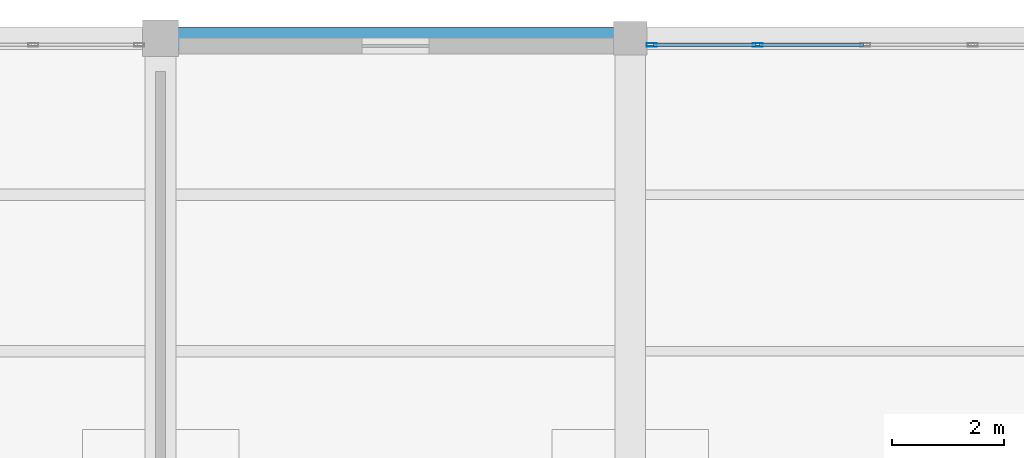
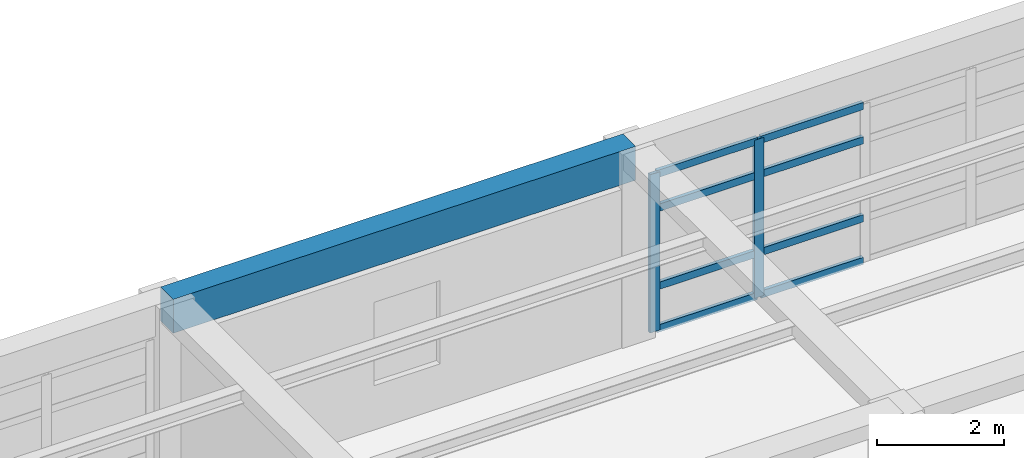
# One storey, part 18 of 25: 10 members, 1 beam, 1 element without a shape of its own.
"""IFC4 building model written with IfcOpenShell, lengths in metres."""

import ifcopenshell
import ifcopenshell.guid

model = None  # the IFC model being written
_history = None  # IfcOwnerHistory: only IFC2X3 demands one
_inside = {}  # id of a spatial element -> (the spatial element, [elements in it])
_under = {}  # id of a project, library or spatial element -> (it, [spatial elements below it])
_declared = {}  # id of a project -> (the project, [libraries it declares])
_typed = {}  # id of a type object -> (the type object, [elements of that type])
_made_of = {}  # id of a material, layer set ... -> (it, [elements and type objects made of it])


def new_model(schema):
    """Start an empty IFC model of exactly this schema.

    Asked for "IFC4X3", IfcOpenShell would pick the latest addendum, in which some entities
    have other attributes; the version numbers below select the first issue.
    IFC2X3 requires an IfcOwnerHistory on every rooted entity: one is made here for all.
    """
    global model, _history
    if schema == "IFC4X3":
        model = ifcopenshell.file(schema_version=(4, 3, 0, 0))
    else:
        model = ifcopenshell.file(schema=schema)
    _inside.clear()
    _under.clear()
    _declared.clear()
    _typed.clear()
    _made_of.clear()
    _history = None
    if model.schema == "IFC2X3":
        org = make("IfcOrganization", Name="unknown")
        user = make(
            "IfcPersonAndOrganization",
            ThePerson=make("IfcPerson", FamilyName="unknown"),
            TheOrganization=org,
        )
        app = make(
            "IfcApplication",
            ApplicationDeveloper=org,
            Version="unknown",
            ApplicationFullName="unknown",
            ApplicationIdentifier="unknown",
        )
        _history = make(
            "IfcOwnerHistory",
            OwningUser=user,
            OwningApplication=app,
            ChangeAction="ADDED",
            CreationDate=0,
        )
    return model


def make(cls, **values):
    """One entity of the class cls with the attributes given. An attribute that is None is left unset."""
    return model.create_entity(
        cls, **{name: value for name, value in values.items() if value is not None}
    )


def rooted(cls, **values):
    """An entity with a GlobalId (a new one), such as an element, a storey or a relation."""
    return make(cls, GlobalId=ifcopenshell.guid.new(), OwnerHistory=_history, **values)


def si_unit(unit_type, name, prefix=None):
    """IfcSIUnit, for example si_unit("LENGTHUNIT", "METRE", prefix="MILLI")."""
    return make("IfcSIUnit", UnitType=unit_type, Prefix=prefix, Name=name)


def assignment(units):
    """IfcUnitAssignment: the units of a project."""
    return None if units is None else make("IfcUnitAssignment", Units=units)


def point(xyz):
    """IfcCartesianPoint."""
    return None if xyz is None else make("IfcCartesianPoint", Coordinates=xyz)


def direction(xyz):
    """IfcDirection."""
    return None if xyz is None else make("IfcDirection", DirectionRatios=xyz)


def frame(location, z_axis=None, x_axis=None):
    """IfcAxis2Placement3D, a coordinate frame: its origin and axes. An axis left out is left unset."""
    return make(
        "IfcAxis2Placement3D",
        Location=point(location),
        Axis=direction(z_axis),
        RefDirection=direction(x_axis),
    )


def frame_2d(location, x_axis=None):
    """IfcAxis2Placement2D, a coordinate frame in the plane: its origin and x axis."""
    return make(
        "IfcAxis2Placement2D", Location=point(location), RefDirection=direction(x_axis)
    )


def origin():
    """The frame at (0, 0, 0) with its axes left unset."""
    return frame((0.0, 0.0, 0.0))


def origin_2d():
    """The frame at (0, 0) in the plane with its x axis left unset."""
    return frame_2d((0.0, 0.0))


def place(relative_to, where):
    """IfcLocalPlacement: puts the frame where relative to a parent placement (None: the world)."""
    return make(
        "IfcLocalPlacement", PlacementRelTo=relative_to, RelativePlacement=where
    )


def context(
    kind, dimensions, precision=None, world=None, true_north=None, identifier=None
):
    """IfcGeometricRepresentationContext, for example the 3D "Model" context."""
    return make(
        "IfcGeometricRepresentationContext",
        ContextIdentifier=identifier,
        ContextType=kind,
        CoordinateSpaceDimension=dimensions,
        Precision=precision,
        WorldCoordinateSystem=world,
        TrueNorth=true_north,
    )


def subcontext(parent, identifier, kind, view, scale=None):
    """IfcGeometricRepresentationSubContext, for example "Body" below "Model"."""
    return make(
        "IfcGeometricRepresentationSubContext",
        ContextIdentifier=identifier,
        ContextType=kind,
        ParentContext=parent,
        TargetScale=scale,
        TargetView=view,
    )


def project(units=None, contexts=None):
    """IfcProject with its units and contexts."""
    return rooted(
        "IfcProject",
        Name="project",
        RepresentationContexts=contexts,
        UnitsInContext=assignment(units),
    )


def spatial(cls, under=None, at=None, **own):
    """A site, building, storey or space (cls), placed at a placement, below another one or the project."""
    s = rooted(cls, ObjectPlacement=at, **own)
    if under is not None:
        _under.setdefault(under.id(), (under, []))[1].append(s)
    return s


def profile(cls, at=None, kind="AREA", **sizes):
    """A parametric profile (cls). Its sizes go by their IFC names, for example OverallWidth=200.0."""
    return make(cls, ProfileType=kind, Position=at, **sizes)


def rectangle(**sizes):
    """IfcRectangleProfileDef."""
    return profile("IfcRectangleProfileDef", **sizes)


def hollow_rectangle(**sizes):
    """IfcRectangleHollowProfileDef."""
    return profile("IfcRectangleHollowProfileDef", **sizes)


def extrude(swept, where, along, depth):
    """IfcExtrudedAreaSolid: the profile swept, set in the frame where, extruded along a direction by depth."""
    return make(
        "IfcExtrudedAreaSolid",
        SweptArea=swept,
        Position=where,
        ExtrudedDirection=direction(along),
        Depth=depth,
    )


def shape(context_of_items, identifier, shape_type, items):
    """IfcShapeRepresentation: the items that make up one representation, for example the "Body"."""
    return make(
        "IfcShapeRepresentation",
        ContextOfItems=context_of_items,
        RepresentationIdentifier=identifier,
        RepresentationType=shape_type,
        Items=items,
    )


def material(Name=None, Category=None):
    """IfcMaterial."""
    return make("IfcMaterial", Name=Name, Category=Category)


def material_profile(
    of_material, cross_section, Name=None, Category=None, Priority=None
):
    """IfcMaterialProfile: a cross section and its material."""
    return make(
        "IfcMaterialProfile",
        Name=Name,
        Material=of_material,
        Profile=cross_section,
        Priority=Priority,
        Category=Category,
    )


def profile_set(profiles, Name=None, composite=None):
    """IfcMaterialProfileSet."""
    return make(
        "IfcMaterialProfileSet",
        Name=Name,
        MaterialProfiles=profiles,
        CompositeProfile=composite,
    )


def made_of(thing, what):
    """Note that an element or type object is made of a material, layer set ...; save() writes the relation."""
    if what is not None:
        _made_of.setdefault(what.id(), (what, []))[1].append(thing)
    return thing


def type_object(cls, material=None, **own):
    """A type object (cls), such as IfcWallType, which elements share."""
    return made_of(rooted(cls, **own), material)


def element(
    cls,
    number,
    at=None,
    inside=None,
    cuts=None,
    type_object=None,
    material=None,
    context=None,
    identifier="Body",
    shape_type=None,
    held_by="IfcProductDefinitionShape",
    body=None,
    shapes=None,
    **own,
):
    """One element of the class cls, such as IfcWall. Its Tag is "e" and its number.

    at: its placement. inside: the storey or other place that contains it. cuts: it is an
    opening in that element (IfcRelVoidsElement). A single representation is given by context,
    identifier, shape_type and body (its items); several are given by shapes. held_by: the class
    of the entity that holds the representations. save() writes the other relations.
    """
    e = rooted(cls, Tag="e%d" % number, ObjectPlacement=at, **own)
    if body is not None:
        shapes = [shape(context, identifier, shape_type, body)]
    if shapes is not None:
        e.Representation = make(held_by, Representations=shapes)
    if inside is not None:
        _inside.setdefault(inside.id(), (inside, []))[1].append(e)
    if cuts is not None:
        rooted(
            "IfcRelVoidsElement", RelatingBuildingElement=cuts, RelatedOpeningElement=e
        )
    if type_object is not None:
        _typed.setdefault(type_object.id(), (type_object, []))[1].append(e)
    return made_of(e, material)


def aggregate(whole, parts):
    """IfcRelAggregates: a whole, such as a stair, and the parts it consists of."""
    return rooted("IfcRelAggregates", RelatingObject=whole, RelatedObjects=parts)


def save(model, path):
    """Write the relations noted so far, then the file.

    IfcRelAggregates (storeys below a building ...), IfcRelContainedInSpatialStructure (elements
    in a storey), IfcRelDefinesByType, IfcRelAssociatesMaterial and IfcRelDeclares: one each for
    every whole, place, type object, material and project.
    """
    for whole, parts in _under.values():
        aggregate(whole, parts)
    for where, things in _inside.values():
        rooted(
            "IfcRelContainedInSpatialStructure",
            RelatedElements=things,
            RelatingStructure=where,
        )
    for kind, things in _typed.values():
        rooted("IfcRelDefinesByType", RelatedObjects=things, RelatingType=kind)
    for what, things in _made_of.values():
        rooted("IfcRelAssociatesMaterial", RelatedObjects=things, RelatingMaterial=what)
    for by, libraries in _declared.values():
        rooted("IfcRelDeclares", RelatingContext=by, RelatedDefinitions=libraries)
    model.write(path)


model = new_model("IFC4")

# Units and contexts
model_context = context("Model", 3, precision=1e-05, world=origin(), true_north=direction((0.0, 1.0)))
body_context = subcontext(model_context, "Body", "Model", "MODEL_VIEW")
ifc_project = project(units=[si_unit("LENGTHUNIT", "METRE"), si_unit("AREAUNIT", "SQUARE_METRE"), si_unit("VOLUMEUNIT", "CUBIC_METRE"), si_unit("PLANEANGLEUNIT", "RADIAN"), si_unit("MASSUNIT", "GRAM", prefix="KILO")], contexts=[model_context])

# Site, building, storey
site_placement = place(None, origin())
site = spatial("IfcSite", under=ifc_project, at=site_placement, CompositionType="ELEMENT")
building_placement = place(site_placement, origin())
building = spatial("IfcBuilding", under=site, at=building_placement, Name="Almacenes y Pasaje Nevantli", CompositionType="ELEMENT")
storey_placement = place(building_placement, frame((0.0, 0.0, 50.699951171875)))
storey = spatial("IfcBuildingStorey", under=building, at=storey_placement, Name="L12", CompositionType="ELEMENT", Elevation=50.699951171875)

# Beam
ifc_material_1 = material(Name="Concrete C35/45", Category="concrete")
ifc_material_profile_1 = material_profile(ifc_material_1, rectangle(XDim=0.39990234375, YDim=0.64990234375, at=origin_2d()), Name="RC-BM-400x650")
ifc_profile_set_1 = profile_set([ifc_material_profile_1], Name="Concrete C35/45")
beam_type = type_object("IfcBeamType", Name="BM-RC-400x650", PredefinedType="SPANDREL", material=ifc_profile_set_1)
beam_placement = place(storey_placement, frame((134.39990234375, 100.800048828125, 3.39501953125), z_axis=(1.0, 0.0, 0.0), x_axis=(0.0, 1.0, 0.0)))
element("IfcBeam", 1, at=beam_placement, inside=storey, type_object=beam_type, Name="L12 East-West Reinforced Concrete Beam #3913", PredefinedType="SPANDREL", context=body_context, shape_type="SweptSolid", body=[
    extrude(rectangle(XDim=0.39990234375, YDim=0.64990234375, at=origin_2d()), origin(), (0.0, 0.0, 1.0), 8.400146484375),
])

# Curtain wall, members
ifc_material_2 = material(Name="Thermally Broken Aluminium and Low-E Glass", Category="aluminium")
curtain_wall_type = type_object("IfcCurtainWallType", Name="CW-UNIT-TOWER", PredefinedType="USERDEFINED", material=ifc_material_2)
curtain_wall_placement = place(storey_placement, origin())
curtain_wall = element("IfcCurtainWall", 2, at=curtain_wall_placement, inside=storey, type_object=curtain_wall_type, Name="L12 Tower North Boulevard Unitized Curtain Wall Bay 18", ObjectType="UNITIZED CURTAIN WALL", PredefinedType="USERDEFINED")
ifc_material_3 = material(Name="Thermally Broken Anodized Aluminium", Category="aluminium")
ifc_material_profile_2 = material_profile(ifc_material_3, hollow_rectangle(XDim=0.06494140625, YDim=0.179931640625, WallThickness=0.00390625, at=origin_2d()), Name="ALU-MUL-65x180")
ifc_profile_set_2 = profile_set([ifc_material_profile_2], Name="Thermally Broken Anodized Aluminium")
member_type_1 = type_object("IfcMemberType", Name="CW-MUL-200", PredefinedType="MULLION", material=ifc_profile_set_2)
member_1_placement = place(storey_placement, frame((143.1826171875, 100.679931640625, 0.0), z_axis=(0.0, 0.0, 1.0), x_axis=(0.0, 1.0, 0.0)))
member_1 = element("IfcMember", 3, at=member_1_placement, type_object=member_type_1, Name="CW-L12-162 mullion 1", PredefinedType="MULLION", context=body_context, shape_type="SweptSolid", body=[
    extrude(hollow_rectangle(XDim=0.06494140625, YDim=0.179931640625, WallThickness=0.00390625, at=origin_2d()), origin(), (0.0, 0.0, 1.0), 3.0400390625),
])
member_2_placement = place(storey_placement, frame((145.074951171875, 100.679931640625, 0.0), z_axis=(0.0, 0.0, 1.0), x_axis=(0.0, 1.0, 0.0)))
member_2 = element("IfcMember", 4, at=member_2_placement, type_object=member_type_1, Name="CW-L12-162 mullion 2", PredefinedType="MULLION", context=body_context, shape_type="SweptSolid", body=[
    extrude(hollow_rectangle(XDim=0.06494140625, YDim=0.179931640625, WallThickness=0.00390625, at=origin_2d()), origin(), (0.0, 0.0, 1.0), 3.0400390625),
])
ifc_material_4 = material(Name="Thermally Broken Anodized Aluminium", Category="aluminium")
ifc_material_profile_3 = material_profile(ifc_material_4, hollow_rectangle(XDim=0.06494140625, YDim=0.139892578125, WallThickness=0.00390625, at=origin_2d()), Name="ALU-TRN-65x140")
ifc_profile_set_3 = profile_set([ifc_material_profile_3], Name="Thermally Broken Anodized Aluminium")
member_type_2 = type_object("IfcMemberType", Name="CW-TRN-150", PredefinedType="USERDEFINED", material=ifc_profile_set_3)
member_3_placement = place(storey_placement, frame((143.215087890625, 100.679931640625, 0.032470703125), z_axis=(1.0, 0.0, 0.0), x_axis=(0.0, 1.0, 0.0)))
member_3 = element("IfcMember", 5, at=member_3_placement, type_object=member_type_2, Name="CW-L12-162 transom 1.1", ObjectType="TRANSOM", PredefinedType="USERDEFINED", context=body_context, shape_type="SweptSolid", body=[
    extrude(hollow_rectangle(XDim=0.06494140625, YDim=0.139892578125, WallThickness=0.00390625, at=origin_2d()), origin(), (0.0, 0.0, 1.0), 1.827392578125),
])
member_4_placement = place(storey_placement, frame((143.215087890625, 100.679931640625, 0.85009765625), z_axis=(1.0, 0.0, 0.0), x_axis=(0.0, 1.0, 0.0)))
member_4 = element("IfcMember", 6, at=member_4_placement, type_object=member_type_2, Name="CW-L12-162 transom 1.2", ObjectType="TRANSOM", PredefinedType="USERDEFINED", context=body_context, shape_type="SweptSolid", body=[
    extrude(hollow_rectangle(XDim=0.06494140625, YDim=0.139892578125, WallThickness=0.00390625, at=origin_2d()), origin(), (0.0, 0.0, 1.0), 1.827392578125),
])
member_5_placement = place(storey_placement, frame((143.215087890625, 100.679931640625, 2.35009765625), z_axis=(1.0, 0.0, 0.0), x_axis=(0.0, 1.0, 0.0)))
member_5 = element("IfcMember", 7, at=member_5_placement, type_object=member_type_2, Name="CW-L12-162 transom 1.3", ObjectType="TRANSOM", PredefinedType="USERDEFINED", context=body_context, shape_type="SweptSolid", body=[
    extrude(hollow_rectangle(XDim=0.06494140625, YDim=0.139892578125, WallThickness=0.00390625, at=origin_2d()), origin(), (0.0, 0.0, 1.0), 1.827392578125),
])
member_6_placement = place(storey_placement, frame((143.215087890625, 100.679931640625, 3.007568359375), z_axis=(1.0, 0.0, 0.0), x_axis=(0.0, 1.0, 0.0)))
member_6 = element("IfcMember", 8, at=member_6_placement, type_object=member_type_2, Name="CW-L12-162 transom 1.4", ObjectType="TRANSOM", PredefinedType="USERDEFINED", context=body_context, shape_type="SweptSolid", body=[
    extrude(hollow_rectangle(XDim=0.06494140625, YDim=0.139892578125, WallThickness=0.00390625, at=origin_2d()), origin(), (0.0, 0.0, 1.0), 1.827392578125),
])
member_7_placement = place(storey_placement, frame((145.107421875, 100.679931640625, 0.032470703125), z_axis=(1.0, 0.0, 0.0), x_axis=(0.0, 1.0, 0.0)))
member_7 = element("IfcMember", 9, at=member_7_placement, type_object=member_type_2, Name="CW-L12-162 transom 2.1", ObjectType="TRANSOM", PredefinedType="USERDEFINED", context=body_context, shape_type="SweptSolid", body=[
    extrude(hollow_rectangle(XDim=0.06494140625, YDim=0.139892578125, WallThickness=0.00390625, at=origin_2d()), origin(), (0.0, 0.0, 1.0), 1.860107421875),
])
member_8_placement = place(storey_placement, frame((145.107421875, 100.679931640625, 0.85009765625), z_axis=(1.0, 0.0, 0.0), x_axis=(0.0, 1.0, 0.0)))
member_8 = element("IfcMember", 10, at=member_8_placement, type_object=member_type_2, Name="CW-L12-162 transom 2.2", ObjectType="TRANSOM", PredefinedType="USERDEFINED", context=body_context, shape_type="SweptSolid", body=[
    extrude(hollow_rectangle(XDim=0.06494140625, YDim=0.139892578125, WallThickness=0.00390625, at=origin_2d()), origin(), (0.0, 0.0, 1.0), 1.860107421875),
])
member_9_placement = place(storey_placement, frame((145.107421875, 100.679931640625, 2.35009765625), z_axis=(1.0, 0.0, 0.0), x_axis=(0.0, 1.0, 0.0)))
member_9 = element("IfcMember", 11, at=member_9_placement, type_object=member_type_2, Name="CW-L12-162 transom 2.3", ObjectType="TRANSOM", PredefinedType="USERDEFINED", context=body_context, shape_type="SweptSolid", body=[
    extrude(hollow_rectangle(XDim=0.06494140625, YDim=0.139892578125, WallThickness=0.00390625, at=origin_2d()), origin(), (0.0, 0.0, 1.0), 1.860107421875),
])
member_10_placement = place(storey_placement, frame((145.107421875, 100.679931640625, 3.007568359375), z_axis=(1.0, 0.0, 0.0), x_axis=(0.0, 1.0, 0.0)))
member_10 = element("IfcMember", 12, at=member_10_placement, type_object=member_type_2, Name="CW-L12-162 transom 2.4", ObjectType="TRANSOM", PredefinedType="USERDEFINED", context=body_context, shape_type="SweptSolid", body=[
    extrude(hollow_rectangle(XDim=0.06494140625, YDim=0.139892578125, WallThickness=0.00390625, at=origin_2d()), origin(), (0.0, 0.0, 1.0), 1.860107421875),
])
aggregate(curtain_wall, [member_1, member_2, member_3, member_4, member_5, member_6, member_7, member_8, member_9, member_10])

save(model, "model.ifc")
